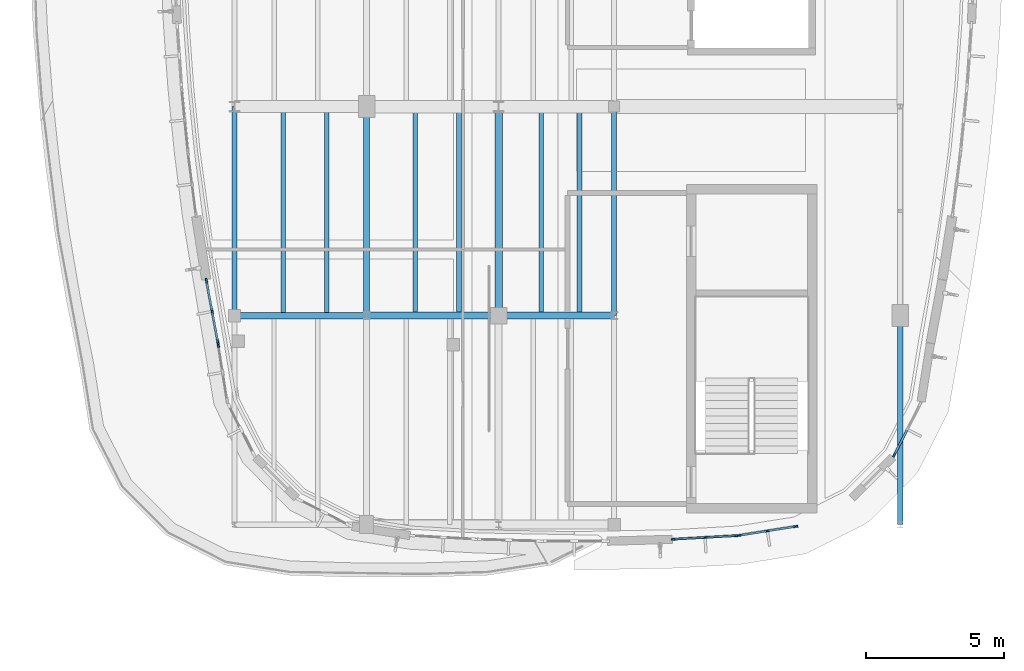
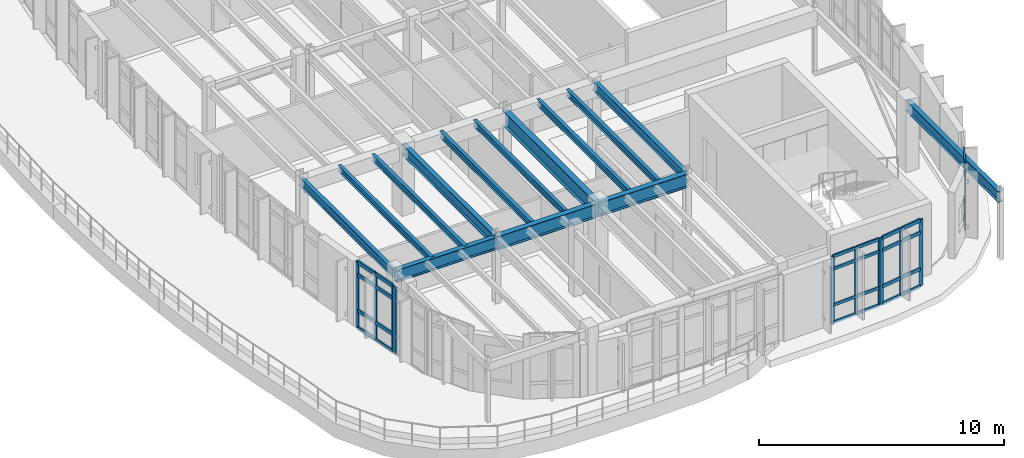
# One storey, part 9 of 30: 39 members, 14 beams, 5 elements without a shape of their own.
"""IFC4 building model written with IfcOpenShell, lengths in metres."""

from ifc_helpers import new_model, si_unit, direction, frame, origin, origin_2d, place, context, subcontext, project, spatial, rectangle, i_section, extrude, material, material_profile, profile_set, type_object, element, aggregate, save


model = new_model("IFC4")

# Units and contexts
model_context = context("Model", 3, precision=1e-05, world=origin(), true_north=direction((0.0, 1.0)))
body_context = subcontext(model_context, "Body", "Model", "MODEL_VIEW")
ifc_project = project(units=[si_unit("LENGTHUNIT", "METRE"), si_unit("AREAUNIT", "SQUARE_METRE"), si_unit("VOLUMEUNIT", "CUBIC_METRE"), si_unit("PLANEANGLEUNIT", "RADIAN"), si_unit("MASSUNIT", "GRAM", prefix="KILO")], contexts=[model_context])

# Site, building, storey
site_placement = place(None, origin())
site = spatial("IfcSite", under=ifc_project, at=site_placement, CompositionType="ELEMENT")
building_placement = place(site_placement, origin())
building = spatial("IfcBuilding", under=site, at=building_placement, Name="Corveleigh Park Community Centre", CompositionType="ELEMENT")
storey_placement = place(building_placement, frame((0.0, 0.0, 12.60009765625)))
storey = spatial("IfcBuildingStorey", under=building, at=storey_placement, Name="L03", CompositionType="ELEMENT", Elevation=12.60009765625)

# Beams
ifc_material_1 = material(Name="Steel S355", Category="steel")
ifc_material_profile_1 = material_profile(ifc_material_1, i_section(OverallWidth=0.1650390625, OverallDepth=0.303466796875, WebThickness=0.006103515625, FlangeThickness=0.01025390625, at=origin_2d()), Name="UKB 305x165x40", Category="steel")
ifc_profile_set_1 = profile_set([ifc_material_profile_1], Name="Steel S355")
beam_type_1 = type_object("IfcBeamType", Name="BM-STL-UKB305x40", PredefinedType="JOIST", material=ifc_profile_set_1)
for number, where, z_axis, x_axis, name in (
    (1, (145.97607421875, 66.205078125, 3.185302734375), (0.0, 1.0, 0.0), (-1.0, 0.0, 0.0), "Secondary floor joist"),
    (2, (147.56005859375, 66.205078125, 3.185302734375), (0.0, 1.0, 0.0), (-1.0, 0.0, 0.0), "Secondary floor joist"),
):
    element("IfcBeam", number, at=place(storey_placement, frame(where, z_axis=z_axis, x_axis=x_axis)), inside=storey, type_object=beam_type_1, Name=name, PredefinedType="JOIST", context=body_context, shape_type="SweptSolid", body=[
        extrude(i_section(OverallWidth=0.1650390625, OverallDepth=0.303466796875, WebThickness=0.006103515625, FlangeThickness=0.01025390625, at=origin_2d()), origin(), (0.0, 0.0, 1.0), 7.58984375),
    ])
ifc_material_profile_2 = material_profile(ifc_material_1, i_section(OverallWidth=0.165771484375, OverallDepth=0.306640625, WebThickness=0.006591796875, FlangeThickness=0.01171875, at=origin_2d()), Name="UKB 305x165x46", Category="steel")
ifc_profile_set_2 = profile_set([ifc_material_profile_2], Name="Steel S355")
beam_type_2 = type_object("IfcBeamType", Name="BM-STL-UKB305x46", PredefinedType="JOIST", material=ifc_profile_set_2)
for number, where, z_axis, x_axis, name in (
    (3, (150.77587890625, 66.205078125, 3.20361328125), (0.0, 1.0, 0.0), (-1.0, 0.0, 0.0), "Secondary floor joist"),
    (4, (152.360107421875, 66.205078125, 3.20361328125), (0.0, 1.0, 0.0), (-1.0, 0.0, 0.0), "Secondary floor joist"),
):
    element("IfcBeam", number, at=place(storey_placement, frame(where, z_axis=z_axis, x_axis=x_axis)), inside=storey, type_object=beam_type_2, Name=name, PredefinedType="JOIST", context=body_context, shape_type="SweptSolid", body=[
        extrude(i_section(OverallWidth=0.165771484375, OverallDepth=0.306640625, WebThickness=0.006591796875, FlangeThickness=0.01171875, at=origin_2d()), origin(), (0.0, 0.0, 1.0), 7.58984375),
    ])
ifc_material_profile_3 = material_profile(ifc_material_1, i_section(OverallWidth=0.1669921875, OverallDepth=0.310302734375, WebThickness=0.0078125, FlangeThickness=0.013671875, at=origin_2d()), Name="UKB 305x165x54", Category="steel")
ifc_profile_set_3 = profile_set([ifc_material_profile_3], Name="Steel S355")
beam_type_3 = type_object("IfcBeamType", Name="BM-STL-UKB305x54", PredefinedType="JOIST", material=ifc_profile_set_3)
for number, where, z_axis, x_axis, name in (
    (5, (155.35400390625, 66.205078125, 3.20166015625), (0.0, 1.0, 0.0), (-1.0, 0.0, 0.0), "Secondary floor joist"),
    (6, (156.739990234375, 66.205078125, 3.20166015625), (0.0, 1.0, 0.0), (-1.0, 0.0, 0.0), "Secondary floor joist"),
):
    element("IfcBeam", number, at=place(storey_placement, frame(where, z_axis=z_axis, x_axis=x_axis)), inside=storey, type_object=beam_type_3, Name=name, PredefinedType="JOIST", context=body_context, shape_type="SweptSolid", body=[
        extrude(i_section(OverallWidth=0.1669921875, OverallDepth=0.310302734375, WebThickness=0.0078125, FlangeThickness=0.013671875, at=origin_2d()), origin(), (0.0, 0.0, 1.0), 7.58984375),
    ])
ifc_material_profile_4 = material_profile(ifc_material_1, i_section(OverallWidth=0.179443359375, OverallDepth=0.412841796875, WebThickness=0.009521484375, FlangeThickness=0.01611328125, at=origin_2d()), Name="UKB 406x178x74", Category="steel")
ifc_profile_set_4 = profile_set([ifc_material_profile_4], Name="Steel S355")
beam_type_4 = type_object("IfcBeamType", Name="BM-STL-UKB406x74", PredefinedType="BEAM", material=ifc_profile_set_4)
beam_1_placement = place(storey_placement, frame((144.199951171875, 66.205078125, 3.130615234375), z_axis=(0.0, 1.0, 0.0), x_axis=(-1.0, 0.0, 0.0)))
element("IfcBeam", 7, at=beam_1_placement, inside=storey, type_object=beam_type_4, Name="V4 Girder Y", PredefinedType="BEAM", context=body_context, shape_type="SweptSolid", body=[
    extrude(i_section(OverallWidth=0.179443359375, OverallDepth=0.412841796875, WebThickness=0.009521484375, FlangeThickness=0.01611328125, at=origin_2d()), origin(), (0.0, 0.0, 1.0), 7.58984375),
])
ifc_material_profile_5 = material_profile(ifc_material_1, i_section(OverallWidth=0.18994140625, OverallDepth=0.453369140625, WebThickness=0.008544921875, FlangeThickness=0.0126953125, at=origin_2d()), Name="UKB 457x191x67", Category="steel")
ifc_profile_set_5 = profile_set([ifc_material_profile_5], Name="Steel S355")
beam_type_5 = type_object("IfcBeamType", Name="BM-STL-UKB457x67", PredefinedType="BEAM", material=ifc_profile_set_5)
beam_2_placement = place(storey_placement, frame((158.0, 66.205078125, 3.130126953125), z_axis=(0.0, 1.0, 0.0), x_axis=(-1.0, 0.0, 0.0)))
element("IfcBeam", 8, at=beam_2_placement, inside=storey, type_object=beam_type_5, Name="V4 Girder Y", PredefinedType="BEAM", context=body_context, shape_type="SweptSolid", body=[
    extrude(i_section(OverallWidth=0.18994140625, OverallDepth=0.453369140625, WebThickness=0.008544921875, FlangeThickness=0.0126953125, at=origin_2d()), origin(), (0.0, 0.0, 1.0), 7.58984375),
])
ifc_material_profile_6 = material_profile(ifc_material_1, i_section(OverallWidth=0.2099609375, OverallDepth=0.53662109375, WebThickness=0.0107421875, FlangeThickness=0.017333984375, at=origin_2d()), Name="UKB 533x210x101", Category="steel")
ifc_profile_set_6 = profile_set([ifc_material_profile_6], Name="Steel S355")
beam_type_6 = type_object("IfcBeamType", Name="BM-STL-UKB533x101", PredefinedType="BEAM", material=ifc_profile_set_6)
beam_3_placement = place(storey_placement, frame((149.0, 66.205078125, 3.088623046875), z_axis=(0.0, 1.0, 0.0), x_axis=(-1.0, 0.0, 0.0)))
element("IfcBeam", 9, at=beam_3_placement, inside=storey, type_object=beam_type_6, Name="V4 Girder Y", PredefinedType="BEAM", context=body_context, shape_type="SweptSolid", body=[
    extrude(i_section(OverallWidth=0.2099609375, OverallDepth=0.53662109375, WebThickness=0.0107421875, FlangeThickness=0.017333984375, at=origin_2d()), origin(), (0.0, 0.0, 1.0), 7.58984375),
])
beam_4_placement = place(storey_placement, frame((168.39990234375, 58.60498046875, 3.088623046875), z_axis=(0.0, 1.0, 0.0), x_axis=(-1.0, 0.0, 0.0)))
element("IfcBeam", 10, at=beam_4_placement, inside=storey, type_object=beam_type_6, Name="V4 Girder Y", PredefinedType="BEAM", context=body_context, shape_type="SweptSolid", body=[
    extrude(i_section(OverallWidth=0.2099609375, OverallDepth=0.53662109375, WebThickness=0.0107421875, FlangeThickness=0.017333984375, at=origin_2d()), origin(), (0.0, 0.0, 1.0), 7.590087890625),
])
ifc_material_profile_7 = material_profile(ifc_material_1, i_section(OverallWidth=0.22900390625, OverallDepth=0.6123046875, WebThickness=0.011962890625, FlangeThickness=0.01953125, at=origin_2d()), Name="UKB 610x229x125", Category="steel")
ifc_profile_set_7 = profile_set([ifc_material_profile_7], Name="Steel S355")
beam_type_7 = type_object("IfcBeamType", Name="BM-STL-UKB610x125", PredefinedType="BEAM", material=ifc_profile_set_7)
beam_5_placement = place(storey_placement, frame((144.205078125, 66.199951171875, 3.03076171875), z_axis=(1.0, 0.0, 0.0), x_axis=(0.0, 1.0, 0.0)))
element("IfcBeam", 11, at=beam_5_placement, inside=storey, type_object=beam_type_7, Name="V4 Girder X", PredefinedType="BEAM", context=body_context, shape_type="SweptSolid", body=[
    extrude(i_section(OverallWidth=0.22900390625, OverallDepth=0.6123046875, WebThickness=0.011962890625, FlangeThickness=0.01953125, at=origin_2d()), origin(), (0.0, 0.0, 1.0), 4.7900390625),
])
ifc_material_profile_8 = material_profile(ifc_material_1, i_section(OverallWidth=0.253662109375, OverallDepth=0.68359375, WebThickness=0.012451171875, FlangeThickness=0.01904296875, at=origin_2d()), Name="UKB 686x254x140", Category="steel")
ifc_profile_set_8 = profile_set([ifc_material_profile_8], Name="Steel S355")
beam_type_8 = type_object("IfcBeamType", Name="BM-STL-UKB686x140", PredefinedType="BEAM", material=ifc_profile_set_8)
beam_6_placement = place(storey_placement, frame((149.0048828125, 66.199951171875, 3.01513671875), z_axis=(1.0, 0.0, 0.0), x_axis=(0.0, 1.0, 0.0)))
element("IfcBeam", 12, at=beam_6_placement, inside=storey, type_object=beam_type_8, Name="V4 Girder X", PredefinedType="BEAM", context=body_context, shape_type="SweptSolid", body=[
    extrude(i_section(OverallWidth=0.253662109375, OverallDepth=0.68359375, WebThickness=0.012451171875, FlangeThickness=0.01904296875, at=origin_2d()), origin(), (0.0, 0.0, 1.0), 4.7900390625),
])
ifc_material_profile_9 = material_profile(ifc_material_1, i_section(OverallWidth=0.25439453125, OverallDepth=0.6875, WebThickness=0.01318359375, FlangeThickness=0.02099609375, at=origin_2d()), Name="UKB 686x254x152", Category="steel")
ifc_profile_set_9 = profile_set([ifc_material_profile_9], Name="Steel S355")
beam_type_9 = type_object("IfcBeamType", Name="BM-STL-UKB686x152", PredefinedType="BEAM", material=ifc_profile_set_9)
beam_7_placement = place(storey_placement, frame((153.804931640625, 66.199951171875, 3.01318359375), z_axis=(1.0, 0.0, 0.0), x_axis=(0.0, 1.0, 0.0)))
element("IfcBeam", 13, at=beam_7_placement, inside=storey, type_object=beam_type_9, Name="V4 Girder X", PredefinedType="BEAM", context=body_context, shape_type="SweptSolid", body=[
    extrude(i_section(OverallWidth=0.25439453125, OverallDepth=0.6875, WebThickness=0.01318359375, FlangeThickness=0.02099609375, at=origin_2d()), origin(), (0.0, 0.0, 1.0), 4.190185546875),
])
ifc_material_profile_10 = material_profile(ifc_material_1, i_section(OverallWidth=0.2666015625, OverallDepth=0.76220703125, WebThickness=0.014404296875, FlangeThickness=0.021484375, at=origin_2d()), Name="UKB 762x267x173", Category="steel")
ifc_profile_set_10 = profile_set([ifc_material_profile_10], Name="Steel S355")
beam_type_10 = type_object("IfcBeamType", Name="BM-STL-UKB762x173", PredefinedType="BEAM", material=ifc_profile_set_10)
beam_8_placement = place(storey_placement, frame((153.800048828125, 66.205078125, 2.975830078125), z_axis=(0.0, 1.0, 0.0), x_axis=(-1.0, 0.0, 0.0)))
element("IfcBeam", 14, at=beam_8_placement, inside=storey, type_object=beam_type_10, Name="V4 Girder Y", PredefinedType="BEAM", context=body_context, shape_type="SweptSolid", body=[
    extrude(i_section(OverallWidth=0.2666015625, OverallDepth=0.76220703125, WebThickness=0.014404296875, FlangeThickness=0.021484375, at=origin_2d()), origin(), (0.0, 0.0, 1.0), 7.58984375),
])

# Curtain wall, members
ifc_material_2 = material(Name="Anodised aluminium 6063-T6", Category="aluminium")
curtain_wall_type = type_object("IfcCurtainWallType", Name="CW-SYS-V4-L03", PredefinedType="NOTDEFINED", material=ifc_material_2)
curtain_wall_1_placement = place(storey_placement, origin())
curtain_wall_1 = element("IfcCurtainWall", 15, at=curtain_wall_1_placement, inside=storey, type_object=curtain_wall_type, Name="V4 L03 Curtain Wall 403", PredefinedType="NOTDEFINED")
ifc_material_profile_11 = material_profile(ifc_material_2, rectangle(XDim=0.06005859375, YDim=0.159912109375, at=origin_2d()), Name="ALU-M60x160", Category="aluminium")
ifc_profile_set_11 = profile_set([ifc_material_profile_11], Name="Anodised aluminium 6063-T6")
member_type_1 = type_object("IfcMemberType", Name="CWM-60x160", PredefinedType="MULLION", material=ifc_profile_set_11)
member_1_placement = place(storey_placement, frame((162.4541015625, 58.197265625, 0.0), z_axis=(0.0, 0.0, 1.0), x_axis=(0.056433508651, -0.998406359706, 0.0)))
member_1 = element("IfcMember", 16, at=member_1_placement, type_object=member_type_1, Name="CW09 mullion 1", PredefinedType="MULLION", context=body_context, shape_type="SweptSolid", body=[
    extrude(rectangle(XDim=0.06005859375, YDim=0.159912109375, at=origin_2d()), origin(), (0.0, 0.0, 1.0), 3.35693359375),
])
member_2_placement = place(storey_placement, frame((161.3076171875, 58.132568359375, 0.0), z_axis=(0.0, 0.0, 1.0), x_axis=(0.056433508651, -0.998406359706, 0.0)))
member_2 = element("IfcMember", 17, at=member_2_placement, type_object=member_type_1, Name="CW09 mullion 2", PredefinedType="MULLION", context=body_context, shape_type="SweptSolid", body=[
    extrude(rectangle(XDim=0.06005859375, YDim=0.159912109375, at=origin_2d()), origin(), (0.0, 0.0, 1.0), 3.35693359375),
])
member_3_placement = place(storey_placement, frame((160.160888671875, 58.067626953125, 0.0), z_axis=(0.0, 0.0, 1.0), x_axis=(0.056433508651, -0.998406359706, 0.0)))
member_3 = element("IfcMember", 18, at=member_3_placement, type_object=member_type_1, Name="CW09 mullion 3", PredefinedType="MULLION", context=body_context, shape_type="SweptSolid", body=[
    extrude(rectangle(XDim=0.06005859375, YDim=0.159912109375, at=origin_2d()), origin(), (0.0, 0.0, 1.0), 3.35693359375),
])

curtain_wall_2_placement = place(storey_placement, origin())
curtain_wall_2 = element("IfcCurtainWall", 19, at=curtain_wall_2_placement, inside=storey, type_object=curtain_wall_type, Name="V4 L03 Curtain Wall 404", PredefinedType="NOTDEFINED")
ifc_material_profile_12 = material_profile(ifc_material_2, rectangle(XDim=0.06494140625, YDim=0.179931640625, at=origin_2d()), Name="ALU-M65x180", Category="aluminium")
ifc_profile_set_12 = profile_set([ifc_material_profile_12], Name="Anodised aluminium 6063-T6")
member_type_2 = type_object("IfcMemberType", Name="CWM-65x180", PredefinedType="MULLION", material=ifc_profile_set_12)
member_4_placement = place(storey_placement, frame((164.593017578125, 58.531982421875, 0.0), z_axis=(0.0, 0.0, 1.0), x_axis=(0.156419486996, -0.987690712768, 0.0)))
member_4 = element("IfcMember", 20, at=member_4_placement, type_object=member_type_2, Name="CW09 mullion 1", PredefinedType="MULLION", context=body_context, shape_type="SweptSolid", body=[
    extrude(rectangle(XDim=0.06494140625, YDim=0.179931640625, at=origin_2d()), origin(), (0.0, 0.0, 1.0), 3.35693359375),
])
member_5_placement = place(storey_placement, frame((163.570556640625, 58.3701171875, 0.0), z_axis=(0.0, 0.0, 1.0), x_axis=(0.156419486996, -0.987690712768, 0.0)))
member_5 = element("IfcMember", 21, at=member_5_placement, type_object=member_type_2, Name="CW09 mullion 2", PredefinedType="MULLION", context=body_context, shape_type="SweptSolid", body=[
    extrude(rectangle(XDim=0.06494140625, YDim=0.179931640625, at=origin_2d()), origin(), (0.0, 0.0, 1.0), 3.35693359375),
])
member_6_placement = place(storey_placement, frame((162.548095703125, 58.2080078125, 0.0), z_axis=(0.0, 0.0, 1.0), x_axis=(0.156419486996, -0.987690712768, 0.0)))
member_6 = element("IfcMember", 22, at=member_6_placement, type_object=member_type_2, Name="CW09 mullion 3", PredefinedType="MULLION", context=body_context, shape_type="SweptSolid", body=[
    extrude(rectangle(XDim=0.06494140625, YDim=0.179931640625, at=origin_2d()), origin(), (0.0, 0.0, 1.0), 3.35693359375),
])

# Curtain wall, member
curtain_wall_3_placement = place(storey_placement, origin())
curtain_wall_3 = element("IfcCurtainWall", 23, at=curtain_wall_3_placement, inside=storey, type_object=curtain_wall_type, Name="V4 L03 Curtain Wall 405", PredefinedType="NOTDEFINED")
ifc_material_profile_13 = material_profile(ifc_material_2, rectangle(XDim=0.070068359375, YDim=0.199951171875, at=origin_2d()), Name="ALU-M70x200", Category="aluminium")
ifc_profile_set_13 = profile_set([ifc_material_profile_13], Name="Anodised aluminium 6063-T6")
member_type_3 = type_object("IfcMemberType", Name="CWM-70x200", PredefinedType="MULLION", material=ifc_profile_set_13)
member_7_placement = place(storey_placement, frame((168.19580078125, 61.151123046875, 0.0), z_axis=(0.0, 0.0, 1.0), x_axis=(0.890898639119, -0.454202173945, 0.0)))
member_7 = element("IfcMember", 24, at=member_7_placement, type_object=member_type_3, Name="CW09 mullion 3", PredefinedType="MULLION", context=body_context, shape_type="SweptSolid", body=[
    extrude(rectangle(XDim=0.070068359375, YDim=0.199951171875, at=origin_2d()), origin(), (0.0, 0.0, 1.0), 3.35693359375),
])

# Curtain wall, members
curtain_wall_4_placement = place(storey_placement, origin())
curtain_wall_4 = element("IfcCurtainWall", 25, at=curtain_wall_4_placement, inside=storey, type_object=curtain_wall_type, Name="V4 L03 Curtain Wall 435", PredefinedType="NOTDEFINED")
member_8_placement = place(storey_placement, frame((143.591552734375, 65.243408203125, 0.0), z_axis=(0.0, 0.0, 1.0), x_axis=(-0.983076054762, -0.18319789997, 0.0)))
member_8 = element("IfcMember", 26, at=member_8_placement, type_object=member_type_3, Name="CW09 mullion 1", PredefinedType="MULLION", context=body_context, shape_type="SweptSolid", body=[
    extrude(rectangle(XDim=0.070068359375, YDim=0.199951171875, at=origin_2d()), origin(), (0.0, 0.0, 1.0), 3.3369140625),
])
member_9_placement = place(storey_placement, frame((143.385009765625, 66.35205078125, 0.0), z_axis=(0.0, 0.0, 1.0), x_axis=(-0.983076054762, -0.18319789997, 0.0)))
member_9 = element("IfcMember", 27, at=member_9_placement, type_object=member_type_3, Name="CW09 mullion 2", PredefinedType="MULLION", context=body_context, shape_type="SweptSolid", body=[
    extrude(rectangle(XDim=0.070068359375, YDim=0.199951171875, at=origin_2d()), origin(), (0.0, 0.0, 1.0), 3.3369140625),
])
member_10_placement = place(storey_placement, frame((143.178466796875, 67.460693359375, 0.0), z_axis=(0.0, 0.0, 1.0), x_axis=(-0.983076054762, -0.18319789997, 0.0)))
member_10 = element("IfcMember", 28, at=member_10_placement, type_object=member_type_3, Name="CW09 mullion 3", PredefinedType="MULLION", context=body_context, shape_type="SweptSolid", body=[
    extrude(rectangle(XDim=0.070068359375, YDim=0.199951171875, at=origin_2d()), origin(), (0.0, 0.0, 1.0), 3.3369140625),
])

# Curtain wall, member
curtain_wall_5_placement = place(storey_placement, origin())
curtain_wall_5 = element("IfcCurtainWall", 29, at=curtain_wall_5_placement, inside=storey, type_object=curtain_wall_type, Name="V4 L03 Curtain Wall 436", PredefinedType="NOTDEFINED")
ifc_material_profile_14 = material_profile(ifc_material_2, rectangle(XDim=0.074951171875, YDim=0.219970703125, at=origin_2d()), Name="ALU-M75x220", Category="aluminium")
ifc_profile_set_14 = profile_set([ifc_material_profile_14], Name="Anodised aluminium 6063-T6")
member_type_4 = type_object("IfcMemberType", Name="CWM-75x220", PredefinedType="MULLION", material=ifc_profile_set_14)
member_11_placement = place(storey_placement, frame((143.60693359375, 65.154052734375, 0.0), z_axis=(0.0, 0.0, 1.0), x_axis=(-0.987626350225, -0.15682535618, 0.0)))
member_11 = element("IfcMember", 30, at=member_11_placement, type_object=member_type_4, Name="CW09 mullion 3", PredefinedType="MULLION", context=body_context, shape_type="SweptSolid", body=[
    extrude(rectangle(XDim=0.074951171875, YDim=0.219970703125, at=origin_2d()), origin(), (0.0, 0.0, 1.0), 3.3369140625),
])
aggregate(curtain_wall_5, [member_11])

# Member
ifc_material_profile_15 = material_profile(ifc_material_2, rectangle(XDim=0.070068359375, YDim=0.155029296875, at=origin_2d()), Name="ALU-T70x155", Category="aluminium")
ifc_profile_set_15 = profile_set([ifc_material_profile_15], Name="Anodised aluminium 6063-T6")
member_type_5 = type_object("IfcMemberType", Name="CWT-70x155", PredefinedType="USERDEFINED", material=ifc_profile_set_15)
member_12_placement = place(storey_placement, frame((162.424072265625, 58.195556640625, 0.034912109375), z_axis=(-0.99841376342, -0.056302371292, 0.0), x_axis=(0.056302371292, -0.99841376342, 0.0)))
member_12 = element("IfcMember", 31, at=member_12_placement, type_object=member_type_5, Name="CW09 transom 1.1", ObjectType="TRANSOM", PredefinedType="USERDEFINED", context=body_context, shape_type="SweptSolid", body=[
    extrude(rectangle(XDim=0.070068359375, YDim=0.155029296875, at=origin_2d()), origin(), (0.0, 0.0, 1.0), 1.08837890625),
])

member_13_placement = place(storey_placement, frame((162.424072265625, 58.195556640625, 0.89990234375), z_axis=(-0.99841376342, -0.056302371292, 0.0), x_axis=(0.056302371292, -0.99841376342, 0.0)))
member_13 = element("IfcMember", 32, at=member_13_placement, type_object=member_type_5, Name="CW09 transom 1.2", ObjectType="TRANSOM", PredefinedType="USERDEFINED", context=body_context, shape_type="SweptSolid", body=[
    extrude(rectangle(XDim=0.070068359375, YDim=0.155029296875, at=origin_2d()), origin(), (0.0, 0.0, 1.0), 1.08837890625),
])

member_14_placement = place(storey_placement, frame((162.424072265625, 58.195556640625, 2.706787109375), z_axis=(-0.99841376342, -0.056302371292, 0.0), x_axis=(0.056302371292, -0.99841376342, 0.0)))
member_14 = element("IfcMember", 33, at=member_14_placement, type_object=member_type_5, Name="CW09 transom 1.3", ObjectType="TRANSOM", PredefinedType="USERDEFINED", context=body_context, shape_type="SweptSolid", body=[
    extrude(rectangle(XDim=0.070068359375, YDim=0.155029296875, at=origin_2d()), origin(), (0.0, 0.0, 1.0), 1.08837890625),
])

member_15_placement = place(storey_placement, frame((162.424072265625, 58.195556640625, 3.322021484375), z_axis=(-0.99841376342, -0.056302371292, 0.0), x_axis=(0.056302371292, -0.99841376342, 0.0)))
member_15 = element("IfcMember", 34, at=member_15_placement, type_object=member_type_5, Name="CW09 transom 1.4", ObjectType="TRANSOM", PredefinedType="USERDEFINED", context=body_context, shape_type="SweptSolid", body=[
    extrude(rectangle(XDim=0.070068359375, YDim=0.155029296875, at=origin_2d()), origin(), (0.0, 0.0, 1.0), 1.08837890625),
])

member_16_placement = place(storey_placement, frame((161.277587890625, 58.130859375, 0.034912109375), z_axis=(-0.998401129264, -0.056525968226, 0.0), x_axis=(0.056525968226, -0.998401129264, 0.0)))
member_16 = element("IfcMember", 35, at=member_16_placement, type_object=member_type_5, Name="CW09 transom 2.1", ObjectType="TRANSOM", PredefinedType="USERDEFINED", context=body_context, shape_type="SweptSolid", body=[
    extrude(rectangle(XDim=0.070068359375, YDim=0.155029296875, at=origin_2d()), origin(), (0.0, 0.0, 1.0), 1.08837890625),
])

member_17_placement = place(storey_placement, frame((161.277587890625, 58.130859375, 0.89990234375), z_axis=(-0.998401129264, -0.056525968226, 0.0), x_axis=(0.056525968226, -0.998401129264, 0.0)))
member_17 = element("IfcMember", 36, at=member_17_placement, type_object=member_type_5, Name="CW09 transom 2.2", ObjectType="TRANSOM", PredefinedType="USERDEFINED", context=body_context, shape_type="SweptSolid", body=[
    extrude(rectangle(XDim=0.070068359375, YDim=0.155029296875, at=origin_2d()), origin(), (0.0, 0.0, 1.0), 1.08837890625),
])

member_18_placement = place(storey_placement, frame((161.277587890625, 58.130859375, 2.706787109375), z_axis=(-0.998401129264, -0.056525968226, 0.0), x_axis=(0.056525968226, -0.998401129264, 0.0)))
member_18 = element("IfcMember", 37, at=member_18_placement, type_object=member_type_5, Name="CW09 transom 2.3", ObjectType="TRANSOM", PredefinedType="USERDEFINED", context=body_context, shape_type="SweptSolid", body=[
    extrude(rectangle(XDim=0.070068359375, YDim=0.155029296875, at=origin_2d()), origin(), (0.0, 0.0, 1.0), 1.08837890625),
])

member_19_placement = place(storey_placement, frame((161.277587890625, 58.130859375, 3.322021484375), z_axis=(-0.998401129264, -0.056525968226, 0.0), x_axis=(0.056525968226, -0.998401129264, 0.0)))
member_19 = element("IfcMember", 38, at=member_19_placement, type_object=member_type_5, Name="CW09 transom 2.4", ObjectType="TRANSOM", PredefinedType="USERDEFINED", context=body_context, shape_type="SweptSolid", body=[
    extrude(rectangle(XDim=0.070068359375, YDim=0.155029296875, at=origin_2d()), origin(), (0.0, 0.0, 1.0), 1.08837890625),
])

aggregate(curtain_wall_1, [member_1, member_2, member_3, member_12, member_13, member_14, member_15, member_16, member_17, member_18, member_19])

ifc_material_profile_16 = material_profile(ifc_material_2, rectangle(XDim=0.074951171875, YDim=0.175048828125, at=origin_2d()), Name="ALU-T75x175", Category="aluminium")
ifc_profile_set_16 = profile_set([ifc_material_profile_16], Name="Anodised aluminium 6063-T6")
member_type_6 = type_object("IfcMemberType", Name="CWT-75x175", PredefinedType="USERDEFINED", material=ifc_profile_set_16)
member_20_placement = place(storey_placement, frame((164.560791015625, 58.52685546875, 0.037353515625), z_axis=(-0.987675076161, -0.156518190413, 0.0), x_axis=(0.156518190413, -0.987675076161, 0.0)))
member_20 = element("IfcMember", 39, at=member_20_placement, type_object=member_type_6, Name="CW09 transom 1.1", ObjectType="TRANSOM", PredefinedType="USERDEFINED", context=body_context, shape_type="SweptSolid", body=[
    extrude(rectangle(XDim=0.074951171875, YDim=0.175048828125, at=origin_2d()), origin(), (0.0, 0.0, 1.0), 0.97021484375),
])

member_21_placement = place(storey_placement, frame((164.560791015625, 58.52685546875, 0.89990234375), z_axis=(-0.987675076161, -0.156518190413, 0.0), x_axis=(0.156518190413, -0.987675076161, 0.0)))
member_21 = element("IfcMember", 40, at=member_21_placement, type_object=member_type_6, Name="CW09 transom 1.2", ObjectType="TRANSOM", PredefinedType="USERDEFINED", context=body_context, shape_type="SweptSolid", body=[
    extrude(rectangle(XDim=0.074951171875, YDim=0.175048828125, at=origin_2d()), origin(), (0.0, 0.0, 1.0), 0.97021484375),
])

member_22_placement = place(storey_placement, frame((164.560791015625, 58.52685546875, 2.706787109375), z_axis=(-0.987675076161, -0.156518190413, 0.0), x_axis=(0.156518190413, -0.987675076161, 0.0)))
member_22 = element("IfcMember", 41, at=member_22_placement, type_object=member_type_6, Name="CW09 transom 1.3", ObjectType="TRANSOM", PredefinedType="USERDEFINED", context=body_context, shape_type="SweptSolid", body=[
    extrude(rectangle(XDim=0.074951171875, YDim=0.175048828125, at=origin_2d()), origin(), (0.0, 0.0, 1.0), 0.97021484375),
])

member_23_placement = place(storey_placement, frame((164.560791015625, 58.52685546875, 3.3193359375), z_axis=(-0.987675076161, -0.156518190413, 0.0), x_axis=(0.156518190413, -0.987675076161, 0.0)))
member_23 = element("IfcMember", 42, at=member_23_placement, type_object=member_type_6, Name="CW09 transom 1.4", ObjectType="TRANSOM", PredefinedType="USERDEFINED", context=body_context, shape_type="SweptSolid", body=[
    extrude(rectangle(XDim=0.074951171875, YDim=0.175048828125, at=origin_2d()), origin(), (0.0, 0.0, 1.0), 0.97021484375),
])

member_24_placement = place(storey_placement, frame((163.538330078125, 58.364990234375, 0.037353515625), z_axis=(-0.987675076161, -0.156518190413, 0.0), x_axis=(0.156518190413, -0.987675076161, 0.0)))
member_24 = element("IfcMember", 43, at=member_24_placement, type_object=member_type_6, Name="CW09 transom 2.1", ObjectType="TRANSOM", PredefinedType="USERDEFINED", context=body_context, shape_type="SweptSolid", body=[
    extrude(rectangle(XDim=0.074951171875, YDim=0.175048828125, at=origin_2d()), origin(), (0.0, 0.0, 1.0), 0.97021484375),
])

member_25_placement = place(storey_placement, frame((163.538330078125, 58.364990234375, 0.89990234375), z_axis=(-0.987675076161, -0.156518190413, 0.0), x_axis=(0.156518190413, -0.987675076161, 0.0)))
member_25 = element("IfcMember", 44, at=member_25_placement, type_object=member_type_6, Name="CW09 transom 2.2", ObjectType="TRANSOM", PredefinedType="USERDEFINED", context=body_context, shape_type="SweptSolid", body=[
    extrude(rectangle(XDim=0.074951171875, YDim=0.175048828125, at=origin_2d()), origin(), (0.0, 0.0, 1.0), 0.97021484375),
])

member_26_placement = place(storey_placement, frame((163.538330078125, 58.364990234375, 2.706787109375), z_axis=(-0.987675076161, -0.156518190413, 0.0), x_axis=(0.156518190413, -0.987675076161, 0.0)))
member_26 = element("IfcMember", 45, at=member_26_placement, type_object=member_type_6, Name="CW09 transom 2.3", ObjectType="TRANSOM", PredefinedType="USERDEFINED", context=body_context, shape_type="SweptSolid", body=[
    extrude(rectangle(XDim=0.074951171875, YDim=0.175048828125, at=origin_2d()), origin(), (0.0, 0.0, 1.0), 0.97021484375),
])

member_27_placement = place(storey_placement, frame((163.538330078125, 58.364990234375, 3.3193359375), z_axis=(-0.987675076161, -0.156518190413, 0.0), x_axis=(0.156518190413, -0.987675076161, 0.0)))
member_27 = element("IfcMember", 46, at=member_27_placement, type_object=member_type_6, Name="CW09 transom 2.4", ObjectType="TRANSOM", PredefinedType="USERDEFINED", context=body_context, shape_type="SweptSolid", body=[
    extrude(rectangle(XDim=0.074951171875, YDim=0.175048828125, at=origin_2d()), origin(), (0.0, 0.0, 1.0), 0.97021484375),
])

aggregate(curtain_wall_2, [member_4, member_5, member_6, member_20, member_21, member_22, member_23, member_24, member_25, member_26, member_27])

ifc_material_profile_17 = material_profile(ifc_material_2, rectangle(XDim=0.080078125, YDim=0.195068359375, at=origin_2d()), Name="ALU-T80x195", Category="aluminium")
ifc_profile_set_17 = profile_set([ifc_material_profile_17], Name="Anodised aluminium 6063-T6")
member_type_7 = type_object("IfcMemberType", Name="CWT-80x195", PredefinedType="USERDEFINED", material=ifc_profile_set_17)
member_28_placement = place(storey_placement, frame((168.64404296875, 62.0302734375, 0.039794921875), z_axis=(-0.454075652897, -0.890963131362, 0.0), x_axis=(0.890963131362, -0.454075652897, 0.0)))
member_28 = element("IfcMember", 47, at=member_28_placement, type_object=member_type_7, Name="CW09 transom 2.1", ObjectType="TRANSOM", PredefinedType="USERDEFINED", context=body_context, shape_type="SweptSolid", body=[
    extrude(rectangle(XDim=0.080078125, YDim=0.195068359375, at=origin_2d()), origin(), (0.0, 0.0, 1.0), 0.95166015625),
])

member_29_placement = place(storey_placement, frame((168.64404296875, 62.0302734375, 0.89990234375), z_axis=(-0.454075652897, -0.890963131362, 0.0), x_axis=(0.890963131362, -0.454075652897, 0.0)))
member_29 = element("IfcMember", 48, at=member_29_placement, type_object=member_type_7, Name="CW09 transom 2.2", ObjectType="TRANSOM", PredefinedType="USERDEFINED", context=body_context, shape_type="SweptSolid", body=[
    extrude(rectangle(XDim=0.080078125, YDim=0.195068359375, at=origin_2d()), origin(), (0.0, 0.0, 1.0), 0.95166015625),
])

member_30_placement = place(storey_placement, frame((168.64404296875, 62.0302734375, 2.706787109375), z_axis=(-0.454075652897, -0.890963131362, 0.0), x_axis=(0.890963131362, -0.454075652897, 0.0)))
member_30 = element("IfcMember", 49, at=member_30_placement, type_object=member_type_7, Name="CW09 transom 2.3", ObjectType="TRANSOM", PredefinedType="USERDEFINED", context=body_context, shape_type="SweptSolid", body=[
    extrude(rectangle(XDim=0.080078125, YDim=0.195068359375, at=origin_2d()), origin(), (0.0, 0.0, 1.0), 0.95166015625),
])

member_31_placement = place(storey_placement, frame((168.64404296875, 62.0302734375, 3.31689453125), z_axis=(-0.454075652897, -0.890963131362, 0.0), x_axis=(0.890963131362, -0.454075652897, 0.0)))
member_31 = element("IfcMember", 50, at=member_31_placement, type_object=member_type_7, Name="CW09 transom 2.4", ObjectType="TRANSOM", PredefinedType="USERDEFINED", context=body_context, shape_type="SweptSolid", body=[
    extrude(rectangle(XDim=0.080078125, YDim=0.195068359375, at=origin_2d()), origin(), (0.0, 0.0, 1.0), 0.95166015625),
])

aggregate(curtain_wall_3, [member_7, member_28, member_29, member_30, member_31])

member_32_placement = place(storey_placement, frame((143.585205078125, 65.27783203125, 0.039794921875), z_axis=(-0.183271086255, 0.983062413554, 0.0), x_axis=(-0.983062413554, -0.183271086255, 0.0)))
member_32 = element("IfcMember", 51, at=member_32_placement, type_object=member_type_7, Name="CW09 transom 1.1", ObjectType="TRANSOM", PredefinedType="USERDEFINED", context=body_context, shape_type="SweptSolid", body=[
    extrude(rectangle(XDim=0.080078125, YDim=0.195068359375, at=origin_2d()), origin(), (0.0, 0.0, 1.0), 1.0576171875),
])

member_33_placement = place(storey_placement, frame((143.585205078125, 65.27783203125, 0.89990234375), z_axis=(-0.183271086255, 0.983062413554, 0.0), x_axis=(-0.983062413554, -0.183271086255, 0.0)))
member_33 = element("IfcMember", 52, at=member_33_placement, type_object=member_type_7, Name="CW09 transom 1.2", ObjectType="TRANSOM", PredefinedType="USERDEFINED", context=body_context, shape_type="SweptSolid", body=[
    extrude(rectangle(XDim=0.080078125, YDim=0.195068359375, at=origin_2d()), origin(), (0.0, 0.0, 1.0), 1.0576171875),
])

member_34_placement = place(storey_placement, frame((143.585205078125, 65.27783203125, 2.68701171875), z_axis=(-0.183271086255, 0.983062413554, 0.0), x_axis=(-0.983062413554, -0.183271086255, 0.0)))
member_34 = element("IfcMember", 53, at=member_34_placement, type_object=member_type_7, Name="CW09 transom 1.3", ObjectType="TRANSOM", PredefinedType="USERDEFINED", context=body_context, shape_type="SweptSolid", body=[
    extrude(rectangle(XDim=0.080078125, YDim=0.195068359375, at=origin_2d()), origin(), (0.0, 0.0, 1.0), 1.0576171875),
])

member_35_placement = place(storey_placement, frame((143.585205078125, 65.27783203125, 3.296875), z_axis=(-0.183271086255, 0.983062413554, 0.0), x_axis=(-0.983062413554, -0.183271086255, 0.0)))
member_35 = element("IfcMember", 54, at=member_35_placement, type_object=member_type_7, Name="CW09 transom 1.4", ObjectType="TRANSOM", PredefinedType="USERDEFINED", context=body_context, shape_type="SweptSolid", body=[
    extrude(rectangle(XDim=0.080078125, YDim=0.195068359375, at=origin_2d()), origin(), (0.0, 0.0, 1.0), 1.0576171875),
])

member_36_placement = place(storey_placement, frame((143.378662109375, 66.386474609375, 0.039794921875), z_axis=(-0.183271086255, 0.983062413554, 0.0), x_axis=(-0.983062413554, -0.183271086255, 0.0)))
member_36 = element("IfcMember", 55, at=member_36_placement, type_object=member_type_7, Name="CW09 transom 2.1", ObjectType="TRANSOM", PredefinedType="USERDEFINED", context=body_context, shape_type="SweptSolid", body=[
    extrude(rectangle(XDim=0.080078125, YDim=0.195068359375, at=origin_2d()), origin(), (0.0, 0.0, 1.0), 1.0576171875),
])

member_37_placement = place(storey_placement, frame((143.378662109375, 66.386474609375, 0.89990234375), z_axis=(-0.183271086255, 0.983062413554, 0.0), x_axis=(-0.983062413554, -0.183271086255, 0.0)))
member_37 = element("IfcMember", 56, at=member_37_placement, type_object=member_type_7, Name="CW09 transom 2.2", ObjectType="TRANSOM", PredefinedType="USERDEFINED", context=body_context, shape_type="SweptSolid", body=[
    extrude(rectangle(XDim=0.080078125, YDim=0.195068359375, at=origin_2d()), origin(), (0.0, 0.0, 1.0), 1.0576171875),
])

member_38_placement = place(storey_placement, frame((143.378662109375, 66.386474609375, 2.68701171875), z_axis=(-0.183271086255, 0.983062413554, 0.0), x_axis=(-0.983062413554, -0.183271086255, 0.0)))
member_38 = element("IfcMember", 57, at=member_38_placement, type_object=member_type_7, Name="CW09 transom 2.3", ObjectType="TRANSOM", PredefinedType="USERDEFINED", context=body_context, shape_type="SweptSolid", body=[
    extrude(rectangle(XDim=0.080078125, YDim=0.195068359375, at=origin_2d()), origin(), (0.0, 0.0, 1.0), 1.0576171875),
])

member_39_placement = place(storey_placement, frame((143.378662109375, 66.386474609375, 3.296875), z_axis=(-0.183271086255, 0.983062413554, 0.0), x_axis=(-0.983062413554, -0.183271086255, 0.0)))
member_39 = element("IfcMember", 58, at=member_39_placement, type_object=member_type_7, Name="CW09 transom 2.4", ObjectType="TRANSOM", PredefinedType="USERDEFINED", context=body_context, shape_type="SweptSolid", body=[
    extrude(rectangle(XDim=0.080078125, YDim=0.195068359375, at=origin_2d()), origin(), (0.0, 0.0, 1.0), 1.0576171875),
])

aggregate(curtain_wall_4, [member_8, member_9, member_10, member_32, member_33, member_34, member_35, member_36, member_37, member_38, member_39])

save(model, "model.ifc")
